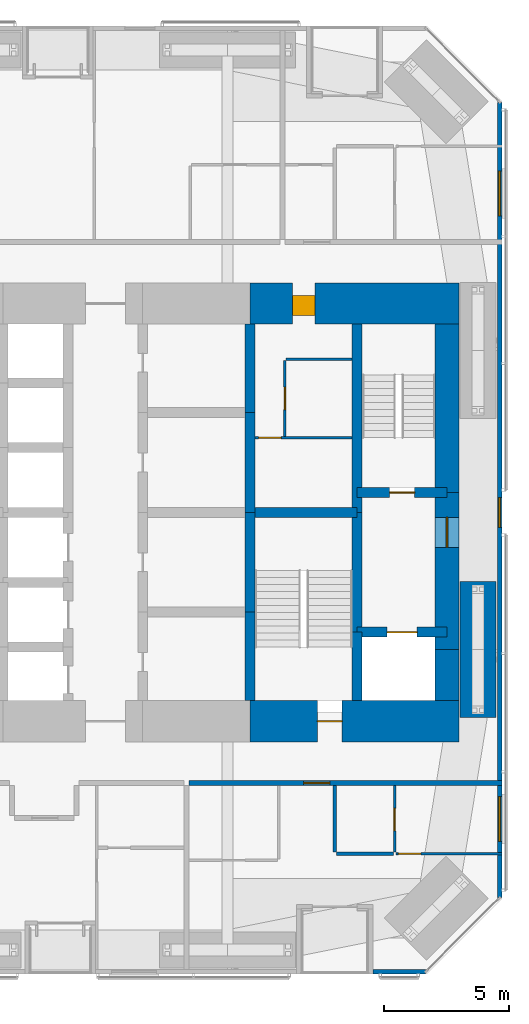
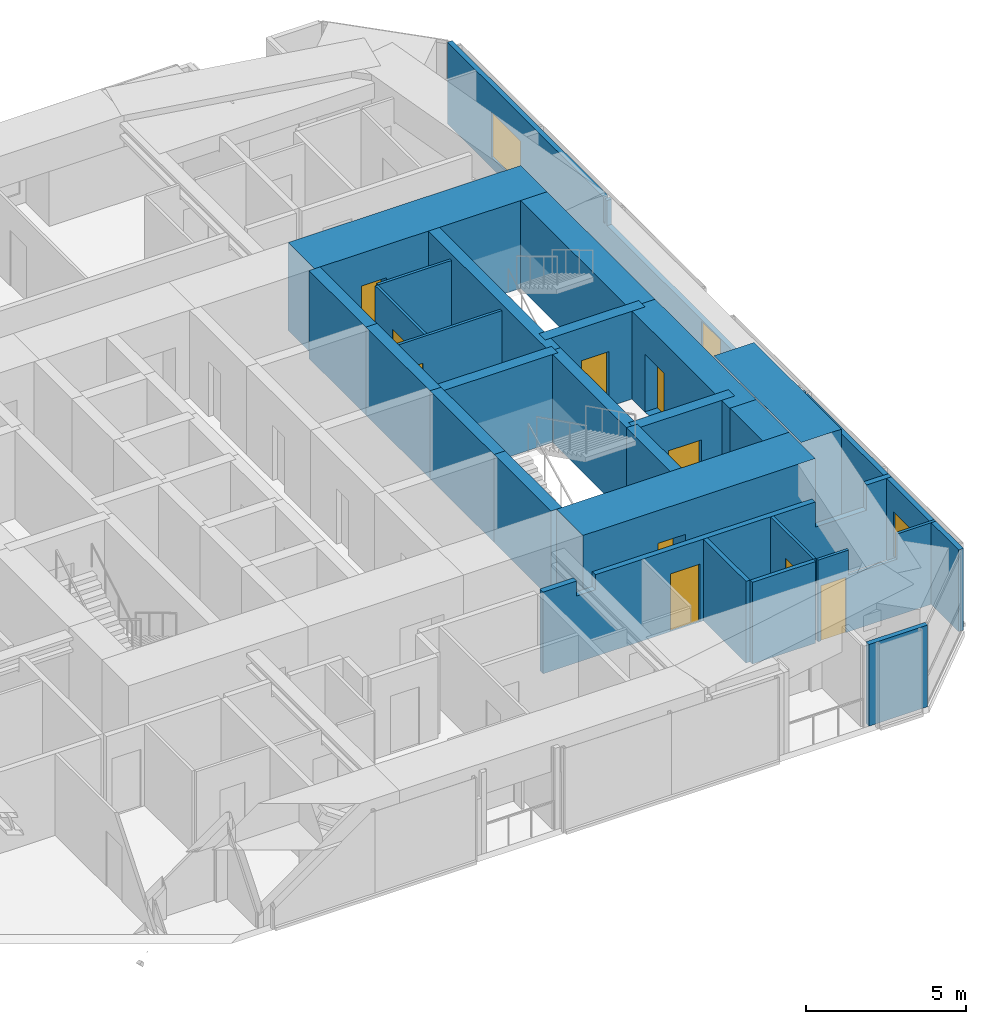
# One storey, part 20 of 23: 26 walls, 10 doors, 3 windows, 13 openings.
"""IFC4 building model written with IfcOpenShell, lengths in metres."""

from ifc_helpers import new_model, si_unit, direction, frame, frame_2d, origin, place, context, subcontext, project, spatial, polyline, rectangle, outline, extrude, material, layer, layer_set, constituent, constituent_set, type_object, element, fill, save


model = new_model("IFC4")

# Units and contexts
model_context = context("Model", 3, precision=1e-05, world=origin(), true_north=direction((0.0, 1.0)))
body_context = subcontext(model_context, "Body", "Model", "MODEL_VIEW")
ifc_project = project(units=[si_unit("LENGTHUNIT", "METRE"), si_unit("AREAUNIT", "SQUARE_METRE"), si_unit("VOLUMEUNIT", "CUBIC_METRE"), si_unit("PLANEANGLEUNIT", "RADIAN"), si_unit("MASSUNIT", "GRAM", prefix="KILO")], contexts=[model_context])

# Site, building, storey
site_placement = place(None, origin())
site = spatial("IfcSite", under=ifc_project, at=site_placement, CompositionType="ELEMENT")
building_placement = place(site_placement, origin())
building = spatial("IfcBuilding", under=site, at=building_placement, Name="Jalousie Tower", CompositionType="ELEMENT")
storey_placement = place(building_placement, frame((0.0, 0.0, 31.050048828125)))
storey = spatial("IfcBuildingStorey", under=building, at=storey_placement, Name="L07", CompositionType="ELEMENT", Elevation=31.050048828125)

# Walls
ifc_material_1 = material(Name="Concrete block ASTM C90", Category="concrete")
ifc_constituent_1 = constituent(ifc_material_1, Name="Body")
ifc_material_2 = material(Name="Render")
ifc_constituent_2 = constituent(ifc_material_2, Name="Finish")
ifc_constituent_set_1 = constituent_set(constituents=[ifc_constituent_1, ifc_constituent_2])
wall_type_1 = type_object("IfcWallType", Name="BATHROOM WALL 150", PredefinedType="PLUMBINGWALL", material=ifc_constituent_set_1)
wall_1_placement = place(storey_placement, frame((39.375, 4.8173828125, 0.0), z_axis=(0.0, 0.0, 1.0), x_axis=(1.0, 0.0, 0.0)))
element("IfcWall", 1, at=wall_1_placement, inside=storey, type_object=wall_type_1, Name="Bathroom Wall 150 L07", PredefinedType="PLUMBINGWALL", context=body_context, shape_type="SweptSolid", body=[
    extrude(rectangle(XDim=2.27490234375, YDim=0.14990234375, at=frame_2d((1.137451171875, 0.0))), origin(), (0.0, 0.0, 1.0), 3.10986328125),
])
wall_2_placement = place(storey_placement, frame((39.300048828125, 4.892333984375, 0.0), z_axis=(0.0, 0.0, 1.0), x_axis=(0.0, 1.0, 0.0)))
element("IfcWall", 2, at=wall_2_placement, inside=storey, type_object=wall_type_1, Name="Bathroom Wall 150 L07", PredefinedType="PLUMBINGWALL", context=body_context, shape_type="SweptSolid", body=[
    extrude(rectangle(XDim=2.65771484375, YDim=0.14990234375, at=frame_2d((1.328857421875, 0.0))), origin(), (0.0, 0.0, 1.0), 3.10986328125),
])

# Wall, opening, door
ifc_material_3 = material(Name="Concrete f'c 120 MPa", Category="concrete")
ifc_layer_1 = layer(ifc_material_3, 1.64990234375)
ifc_layer_set_1 = layer_set([ifc_layer_1], Name="Concrete f'c 120 MPa")
wall_type_2 = type_object("IfcWallType", Name="CORE WALL 1650", PredefinedType="SHEAR", material=ifc_layer_set_1)
wall_3_placement = place(storey_placement, frame((35.89990234375, 10.125, 0.0), z_axis=(0.0, 0.0, 1.0), x_axis=(1.0, 0.0, 0.0)))
wall_3 = element("IfcWall", 3, at=wall_3_placement, inside=storey, type_object=wall_type_2, Name="Core wall SD L07", PredefinedType="SHEAR", context=body_context, shape_type="SweptSolid", body=[
    extrude(rectangle(XDim=8.375, YDim=1.64990234375, at=frame_2d((4.1875, 0.0))), origin(), (0.0, 0.0, 1.0), 3.349853515625),
])
opening_1_placement = place(wall_3_placement, frame((2.699951171875, 0.0, 0.0)))
opening_1 = element("IfcOpeningElement", 4, at=opening_1_placement, cuts=wall_3, Name="Opening D10", PredefinedType="OPENING", context=body_context, shape_type="SweptSolid", body=[
    extrude(rectangle(XDim=1.0, YDim=2.10009765625, at=frame_2d((0.5, 1.050048828125))), frame((0.0, 0.8349609375, 0.0), z_axis=(0.0, -1.0, 0.0), x_axis=(1.0, 0.0, 0.0)), (0.0, 0.0, 1.0), 1.669921875),
])
ifc_material_4 = material(Name="Steel fire door", Category="steel")
door_type_1 = type_object("IfcDoorType", Name="STAIR DOOR 1000", OperationType="SINGLE_SWING_LEFT", PredefinedType="DOOR", material=ifc_material_4)
door_1_placement = place(opening_1_placement, origin())
door_1 = element("IfcDoor", 5, at=door_1_placement, inside=storey, type_object=door_type_1, Name="Exit stair C door", OperationType="SINGLE_SWING_RIGHT", OverallHeight=2.10009765625, OverallWidth=1.0, PredefinedType="DOOR", context=body_context, shape_type="SweptSolid", body=[
    extrude(rectangle(XDim=1.0, YDim=2.10009765625, at=frame_2d((0.5, 1.050048828125))), frame((0.0, 0.02490234375, 0.0), z_axis=(0.0, -1.0, 0.0), x_axis=(1.0, 0.0, 0.0)), (0.0, 0.0, 1.0), 0.050048828125),
])
fill(opening_1, door_1)

wall_4_placement = place(storey_placement, frame((44.27490234375, 26.875, 0.0), z_axis=(0.0, 0.0, 1.0), x_axis=(-1.0, 0.0, 0.0)))
wall_4 = element("IfcWall", 6, at=wall_4_placement, inside=storey, type_object=wall_type_2, Name="Core wall NA L07", PredefinedType="SHEAR", context=body_context, shape_type="SweptSolid", body=[
    extrude(rectangle(XDim=8.375, YDim=1.64990234375, at=frame_2d((4.1875, 0.0))), origin(), (0.0, 0.0, 1.0), 3.349853515625),
])
opening_2_placement = place(wall_4_placement, frame((5.77490234375, 0.0, 0.0)))
opening_2 = element("IfcOpeningElement", 7, at=opening_2_placement, cuts=wall_4, Name="Opening D25", PredefinedType="OPENING", context=body_context, shape_type="SweptSolid", body=[
    extrude(rectangle(XDim=0.89990234375, YDim=2.10009765625, at=frame_2d((0.449951171875, 1.050048828125))), frame((0.0, 0.8349609375, 0.0), z_axis=(0.0, -1.0, 0.0), x_axis=(1.0, 0.0, 0.0)), (0.0, 0.0, 1.0), 1.669921875),
])
ifc_material_5 = material(Name="Steel fire door", Category="steel")
door_type_2 = type_object("IfcDoorType", Name="SERVICE LOBBY DOOR 900", OperationType="SINGLE_SWING_LEFT", PredefinedType="DOOR", material=ifc_material_5)
door_2_placement = place(opening_2_placement, origin())
door_2 = element("IfcDoor", 8, at=door_2_placement, inside=storey, type_object=door_type_2, Name="Service lobby door", OperationType="SINGLE_SWING_RIGHT", OverallHeight=2.10009765625, OverallWidth=0.89990234375, PredefinedType="DOOR", context=body_context, shape_type="SweptSolid", body=[
    extrude(rectangle(XDim=0.89990234375, YDim=2.10009765625, at=frame_2d((0.449951171875, 1.050048828125))), frame((0.0, 0.47021484375, 0.0), z_axis=(0.0, -1.0, 0.0), x_axis=(1.0, 0.0, 0.0)), (0.0, 0.0, 1.0), 0.800048828125),
])
fill(opening_2, door_2)

# Walls
ifc_material_6 = material(Name="Concrete f'c 120 MPa", Category="concrete")
ifc_layer_2 = layer(ifc_material_6, 0.39990234375)
ifc_layer_set_2 = layer_set([ifc_layer_2], Name="Concrete f'c 120 MPa")
wall_type_3 = type_object("IfcWallType", Name="CORE WALL 400", PredefinedType="SHEAR", material=ifc_layer_set_2)
wall_5_placement = place(storey_placement, frame((35.89990234375, 10.949951171875, 0.0), z_axis=(0.0, 0.0, 1.0), x_axis=(0.0, 1.0, 0.0)))
element("IfcWall", 9, at=wall_5_placement, inside=storey, type_object=wall_type_3, Name="Core wall X35.9A L07", PredefinedType="SHEAR", context=body_context, shape_type="SweptSolid", body=[
    extrude(rectangle(XDim=3.550048828125, YDim=0.39990234375, at=frame_2d((1.77490234375, 0.0))), origin(), (0.0, 0.0, 1.0), 3.349853515625),
])
for number, where, z_axis, x_axis, name in (
    (10, (35.89990234375, 14.5, 0.0), (0.0, 0.0, 1.0), (0.0, 1.0, 0.0), "Core wall X35.9B L07"),
    (11, (35.89990234375, 18.5, 0.0), (0.0, 0.0, 1.0), (0.0, 1.0, 0.0), "Core wall X35.9C L07"),
):
    element("IfcWall", number, at=place(storey_placement, frame(where, z_axis=z_axis, x_axis=x_axis)), inside=storey, type_object=wall_type_3, Name=name, PredefinedType="SHEAR", context=body_context, shape_type="SweptSolid", body=[
        extrude(rectangle(XDim=4.0, YDim=0.39990234375, at=frame_2d((2.0, 0.0))), origin(), (0.0, 0.0, 1.0), 3.349853515625),
    ])
wall_6_placement = place(storey_placement, frame((35.89990234375, 22.5, 0.0), z_axis=(0.0, 0.0, 1.0), x_axis=(0.0, 1.0, 0.0)))
element("IfcWall", 12, at=wall_6_placement, inside=storey, type_object=wall_type_3, Name="Core wall X35.9D L07", PredefinedType="SHEAR", context=body_context, shape_type="SweptSolid", body=[
    extrude(rectangle(XDim=3.550048828125, YDim=0.39990234375, at=frame_2d((1.77490234375, 0.0))), origin(), (0.0, 0.0, 1.0), 3.349853515625),
])
wall_7_placement = place(storey_placement, frame((40.199951171875, 10.949951171875, 0.0), z_axis=(0.0, 0.0, 1.0), x_axis=(0.0, 1.0, 0.0)))
element("IfcWall", 13, at=wall_7_placement, inside=storey, type_object=wall_type_3, Name="Core wall X40.2A L07", PredefinedType="SHEAR", context=body_context, shape_type="SweptSolid", body=[
    extrude(rectangle(XDim=2.75, YDim=0.39990234375, at=frame_2d((1.375, 0.0))), origin(), (0.0, 0.0, 1.0), 3.349853515625),
])
wall_8_placement = place(storey_placement, frame((40.199951171875, 13.699951171875, 0.0), z_axis=(0.0, 0.0, 1.0), x_axis=(0.0, 1.0, 0.0)))
element("IfcWall", 14, at=wall_8_placement, inside=storey, type_object=wall_type_3, Name="Core wall X40.2B L07", PredefinedType="SHEAR", context=body_context, shape_type="SweptSolid", body=[
    extrude(rectangle(XDim=4.800048828125, YDim=0.39990234375, at=frame_2d((2.39990234375, 0.0))), origin(), (0.0, 0.0, 1.0), 3.349853515625),
])
wall_9_placement = place(storey_placement, frame((40.199951171875, 18.5, 0.0), z_axis=(0.0, 0.0, 1.0), x_axis=(0.0, 1.0, 0.0)))
element("IfcWall", 15, at=wall_9_placement, inside=storey, type_object=wall_type_3, Name="Core wall X40.2C L07", PredefinedType="SHEAR", context=body_context, shape_type="SweptSolid", body=[
    extrude(rectangle(XDim=7.550048828125, YDim=0.39990234375, at=frame_2d((3.77490234375, 0.0))), origin(), (0.0, 0.0, 1.0), 3.349853515625),
])
wall_10_placement = place(storey_placement, frame((35.89990234375, 18.5, 0.0), z_axis=(0.0, 0.0, 1.0), x_axis=(1.0, 0.0, 0.0)))
element("IfcWall", 16, at=wall_10_placement, inside=storey, type_object=wall_type_3, Name="Core wall Y35.9-18.5 L07", PredefinedType="SHEAR", context=body_context, shape_type="SweptSolid", body=[
    extrude(rectangle(XDim=4.300048828125, YDim=0.39990234375, at=frame_2d((2.14990234375, 0.0))), origin(), (0.0, 0.0, 1.0), 3.349853515625),
])

# Wall, opening, door
wall_11_placement = place(storey_placement, frame((40.199951171875, 13.699951171875, 0.0), z_axis=(0.0, 0.0, 1.0), x_axis=(1.0, 0.0, 0.0)))
wall_11 = element("IfcWall", 17, at=wall_11_placement, inside=storey, type_object=wall_type_3, Name="Core wall Y40.2-13.7 L07", PredefinedType="SHEAR", context=body_context, shape_type="SweptSolid", body=[
    extrude(rectangle(XDim=3.60009765625, YDim=0.39990234375, at=frame_2d((1.800048828125, 0.0))), origin(), (0.0, 0.0, 1.0), 3.349853515625),
])
opening_3_placement = place(wall_11_placement, frame((1.199951171875, 0.0, 0.0)))
opening_3 = element("IfcOpeningElement", 18, at=opening_3_placement, cuts=wall_11, Name="Opening LD2", PredefinedType="OPENING", context=body_context, shape_type="SweptSolid", body=[
    extrude(rectangle(XDim=1.199951171875, YDim=2.10009765625, at=frame_2d((0.60009765625, 1.050048828125))), frame((0.0, 0.2099609375, 0.0), z_axis=(0.0, -1.0, 0.0), x_axis=(1.0, 0.0, 0.0)), (0.0, 0.0, 1.0), 0.419921875),
])
ifc_material_7 = material(Name="Steel lift landing door", Category="steel")
door_type_3 = type_object("IfcDoorType", Name="LIFT LANDING DOOR 1200", OperationType="SLIDING_TO_LEFT", PredefinedType="DOOR", material=ifc_material_7)
door_3_placement = place(opening_3_placement, origin())
door_3 = element("IfcDoor", 19, at=door_3_placement, inside=storey, type_object=door_type_3, Name="Lift F2 landing door", OperationType="SLIDING_TO_LEFT", OverallHeight=2.10009765625, OverallWidth=1.199951171875, PredefinedType="DOOR", context=body_context, shape_type="SweptSolid", body=[
    extrude(rectangle(XDim=1.199951171875, YDim=2.10009765625, at=frame_2d((0.60009765625, 1.050048828125))), frame((0.0, 0.02490234375, 0.0), z_axis=(0.0, -1.0, 0.0), x_axis=(1.0, 0.0, 0.0)), (0.0, 0.0, 1.0), 0.050048828125),
])
fill(opening_3, door_3)

wall_12_placement = place(storey_placement, frame((40.199951171875, 19.300048828125, 0.0), z_axis=(0.0, 0.0, 1.0), x_axis=(1.0, 0.0, 0.0)))
wall_12 = element("IfcWall", 20, at=wall_12_placement, inside=storey, type_object=wall_type_3, Name="Core wall Y40.2-19.3 L07", PredefinedType="SHEAR", context=body_context, shape_type="SweptSolid", body=[
    extrude(rectangle(XDim=3.60009765625, YDim=0.39990234375, at=frame_2d((1.800048828125, 0.0))), origin(), (0.0, 0.0, 1.0), 3.349853515625),
])
opening_4_placement = place(wall_12_placement, frame((1.300048828125, 0.0, 0.0)))
opening_4 = element("IfcOpeningElement", 21, at=opening_4_placement, cuts=wall_12, Name="Opening D10", PredefinedType="OPENING", context=body_context, shape_type="SweptSolid", body=[
    extrude(rectangle(XDim=1.0, YDim=2.10009765625, at=frame_2d((0.5, 1.050048828125))), frame((0.0, 0.2099609375, 0.0), z_axis=(0.0, -1.0, 0.0), x_axis=(1.0, 0.0, 0.0)), (0.0, 0.0, 1.0), 0.419921875),
])
door_4_placement = place(opening_4_placement, origin())
door_4 = element("IfcDoor", 22, at=door_4_placement, inside=storey, type_object=door_type_1, Name="Exit stair B door", OperationType="SINGLE_SWING_RIGHT", OverallHeight=2.10009765625, OverallWidth=1.0, PredefinedType="DOOR", context=body_context, shape_type="SweptSolid", body=[
    extrude(rectangle(XDim=1.0, YDim=2.10009765625, at=frame_2d((0.5, 1.050048828125))), frame((0.0, 0.02490234375, 0.0), z_axis=(0.0, -1.0, 0.0), x_axis=(1.0, 0.0, 0.0)), (0.0, 0.0, 1.0), 0.050048828125),
])
fill(opening_4, door_4)

# Wall
ifc_material_8 = material(Name="Concrete f'c 120 MPa", Category="concrete")
ifc_layer_3 = layer(ifc_material_8, 0.949951171875)
ifc_layer_set_3 = layer_set([ifc_layer_3], Name="Concrete f'c 120 MPa")
wall_type_4 = type_object("IfcWallType", Name="CORE WALL 950", PredefinedType="SHEAR", material=ifc_layer_set_3)
wall_13_placement = place(storey_placement, frame((43.800048828125, 10.949951171875, 0.0), z_axis=(0.0, 0.0, 1.0), x_axis=(0.0, 1.0, 0.0)))
element("IfcWall", 23, at=wall_13_placement, inside=storey, type_object=wall_type_4, Name="Core wall EA L07", PredefinedType="SHEAR", context=body_context, shape_type="SweptSolid", body=[
    extrude(rectangle(XDim=2.050048828125, YDim=0.949951171875, at=frame_2d((1.02490234375, 0.0))), origin(), (0.0, 0.0, 1.0), 3.349853515625),
])

# Wall, opening, door
wall_14_placement = place(storey_placement, frame((43.800048828125, 13.0, 0.0), z_axis=(0.0, 0.0, 1.0), x_axis=(0.0, 1.0, 0.0)))
wall_14 = element("IfcWall", 24, at=wall_14_placement, inside=storey, type_object=wall_type_4, Name="Core wall EB L07", PredefinedType="SHEAR", context=body_context, shape_type="SweptSolid", body=[
    extrude(rectangle(XDim=6.300048828125, YDim=0.949951171875, at=frame_2d((3.14990234375, 0.0))), origin(), (0.0, 0.0, 1.0), 3.349853515625),
])
opening_5_placement = place(wall_14_placement, frame((4.10009765625, 0.0, 0.0)))
opening_5 = element("IfcOpeningElement", 25, at=opening_5_placement, cuts=wall_14, Name="Opening D11", PredefinedType="OPENING", context=body_context, shape_type="SweptSolid", body=[
    extrude(rectangle(XDim=1.199951171875, YDim=2.199951171875, at=frame_2d((0.60009765625, 1.10009765625))), frame((0.0, 0.48486328125, 0.0), z_axis=(0.0, -1.0, 0.0), x_axis=(1.0, 0.0, 0.0)), (0.0, 0.0, 1.0), 0.969970703125),
])
ifc_material_9 = material(Name="Steel fire door", Category="steel")
door_type_4 = type_object("IfcDoorType", Name="FIRE DOOR 1200", OperationType="SINGLE_SWING_LEFT", PredefinedType="DOOR", material=ifc_material_9)
door_5_placement = place(opening_5_placement, origin())
door_5 = element("IfcDoor", 26, at=door_5_placement, inside=storey, type_object=door_type_4, Name="Fire-fighting lobby B door", OperationType="SINGLE_SWING_RIGHT", OverallHeight=2.199951171875, OverallWidth=1.199951171875, PredefinedType="DOOR", context=body_context, shape_type="SweptSolid", body=[
    extrude(rectangle(XDim=1.199951171875, YDim=2.199951171875, at=frame_2d((0.60009765625, 1.10009765625))), frame((0.0, 0.02490234375, 0.0), z_axis=(0.0, -1.0, 0.0), x_axis=(1.0, 0.0, 0.0)), (0.0, 0.0, 1.0), 0.050048828125),
])
fill(opening_5, door_5)

# Wall
wall_15_placement = place(storey_placement, frame((43.800048828125, 19.300048828125, 0.0), z_axis=(0.0, 0.0, 1.0), x_axis=(0.0, 1.0, 0.0)))
element("IfcWall", 27, at=wall_15_placement, inside=storey, type_object=wall_type_4, Name="Core wall EC L07", PredefinedType="SHEAR", context=body_context, shape_type="SweptSolid", body=[
    extrude(rectangle(XDim=6.75, YDim=0.949951171875, at=frame_2d((3.375, 0.0))), origin(), (0.0, 0.0, 1.0), 3.349853515625),
])

# Wall, opening, door
ifc_material_10 = material(Name="Concrete block ASTM C90", Category="concrete")
ifc_constituent_3 = constituent(ifc_material_10, Name="Body")
ifc_material_11 = material(Name="Render")
ifc_constituent_4 = constituent(ifc_material_11, Name="Finish")
ifc_constituent_set_2 = constituent_set(constituents=[ifc_constituent_3, ifc_constituent_4])
wall_type_5 = type_object("IfcWallType", Name="CORRIDOR WALL 200", PredefinedType="PARTITIONING", material=ifc_constituent_set_2)
wall_16_placement = place(storey_placement, frame((33.449951171875, 7.64990234375, 0.0), z_axis=(0.0, 0.0, 1.0), x_axis=(1.0, 0.0, 0.0)))
wall_16 = element("IfcWall", 28, at=wall_16_placement, inside=storey, type_object=wall_type_5, Name="Corridor Wall 200 L07", PredefinedType="PARTITIONING", context=body_context, shape_type="SweptSolid", body=[
    extrude(outline(polyline([(0.0, 0.0), (12.550048828125, 0.0), (12.550048828125, 3.10986328125), (11.654296875, 3.10986328125), (11.654296875, 2.14990234375), (9.810546875, 2.14990234375), (9.810546875, 3.10986328125), (1.88720703125, 3.10986328125), (1.88720703125, 2.541015625), (1.212646484375, 2.541015625), (1.212646484375, 3.10986328125), (0.0, 3.10986328125), (0.0, 0.0)])), frame((0.0, 0.10009765625, 0.0), z_axis=(0.0, -1.0, 0.0), x_axis=(1.0, 0.0, 0.0)), (0.0, 0.0, 1.0), 0.199951171875),
])
opening_6_placement = place(wall_16_placement, frame((4.60009765625, 0.0, 0.0)))
opening_6 = element("IfcOpeningElement", 29, at=opening_6_placement, cuts=wall_16, Name="Opening D1", PredefinedType="OPENING", context=body_context, shape_type="SweptSolid", body=[
    extrude(rectangle(XDim=1.050048828125, YDim=2.199951171875, at=frame_2d((0.52490234375, 1.10009765625))), frame((0.0, 0.10986328125, 0.0), z_axis=(0.0, -1.0, 0.0), x_axis=(1.0, 0.0, 0.0)), (0.0, 0.0, 1.0), 0.219970703125),
])
ifc_material_12 = material(Name="Timber fire door", Category="wood")
door_type_5 = type_object("IfcDoorType", Name="APARTMENT ENTRANCE DOOR 1050", OperationType="SINGLE_SWING_LEFT", PredefinedType="DOOR", material=ifc_material_12)
door_6_placement = place(opening_6_placement, frame((1.050048828125, 0.0, 0.0), z_axis=(0.0, 0.0, 1.0), x_axis=(-1.0, 0.0, 0.0)))
door_6 = element("IfcDoor", 30, at=door_6_placement, inside=storey, type_object=door_type_5, Name="Apartment 0703 entrance", OperationType="SINGLE_SWING_LEFT", OverallHeight=2.199951171875, OverallWidth=1.050048828125, PredefinedType="DOOR", context=body_context, shape_type="SweptSolid", body=[
    extrude(rectangle(XDim=1.050048828125, YDim=2.199951171875, at=frame_2d((0.52490234375, 1.10009765625))), frame((0.0, 0.02490234375, 0.0), z_axis=(0.0, -1.0, 0.0), x_axis=(1.0, 0.0, 0.0)), (0.0, 0.0, 1.0), 0.050048828125),
])
fill(opening_6, door_6)

# Wall
ifc_material_13 = material(Name="Concrete f'c 40 MPa", Category="concrete")
ifc_constituent_5 = constituent(ifc_material_13, Name="Body")
ifc_material_14 = material(Name="Render, pastel coral")
ifc_constituent_6 = constituent(ifc_material_14, Name="Finish")
ifc_constituent_set_3 = constituent_set(constituents=[ifc_constituent_5, ifc_constituent_6])
wall_type_6 = type_object("IfcWallType", Name="EXTERNAL WALL 175 CORAL RENDER", PredefinedType="SOLIDWALL", material=ifc_constituent_set_3)
wall_17_placement = place(storey_placement, frame((40.824951171875, 0.08740234375, 0.0), z_axis=(0.0, 0.0, 1.0), x_axis=(1.0, 0.0, 0.0)))
element("IfcWall", 31, at=wall_17_placement, inside=storey, type_object=wall_type_6, Name="External Wall 175 Coral Render L07", PredefinedType="SOLIDWALL", context=body_context, shape_type="SweptSolid", body=[
    extrude(rectangle(XDim=2.123779296875, YDim=0.175048828125, at=frame_2d((1.06201171875, 0.0))), origin(), (0.0, 0.0, 1.0), 3.10986328125),
])

# Wall, openings, windows
wall_18_placement = place(storey_placement, frame((45.91259765625, 3.05126953125, 0.0), z_axis=(0.0, 0.0, 1.0), x_axis=(0.0, 1.0, 0.0)))
wall_18 = element("IfcWall", 32, at=wall_18_placement, inside=storey, type_object=wall_type_6, Name="External Wall 175 Coral Render L07", PredefinedType="SOLIDWALL", context=body_context, shape_type="SweptSolid", body=[
    extrude(outline(polyline([(0.0, 0.0), (31.8974609375, 0.0), (31.8974609375, 3.10986328125), (22.167236328125, 3.10986328125), (22.167236328125, 2.14990234375), (22.074462890625, 2.14990234375), (22.074462890625, 3.10986328125), (21.94873046875, 3.10986328125), (21.94873046875, 2.14990234375), (9.94873046875, 2.14990234375), (9.94873046875, 3.10986328125), (9.822998046875, 3.10986328125), (9.822998046875, 2.14990234375), (9.72998046875, 2.14990234375), (9.72998046875, 3.10986328125), (0.0, 3.10986328125), (0.0, 0.0)])), frame((0.0, 0.08740234375, 0.0), z_axis=(0.0, -1.0, 0.0), x_axis=(1.0, 0.0, 0.0)), (0.0, 0.0, 1.0), 0.175048828125),
])
opening_7_placement = place(wall_18_placement, frame((2.25732421875, 0.0, 0.39990234375)))
opening_7 = element("IfcOpeningElement", 33, at=opening_7_placement, cuts=wall_18, Name="Opening W-BED170", PredefinedType="OPENING", context=body_context, shape_type="SweptSolid", body=[
    extrude(rectangle(XDim=1.800048828125, YDim=1.699951171875, at=frame_2d((0.89990234375, 0.85009765625))), frame((0.0, 0.097412109375, 0.0), z_axis=(0.0, -1.0, 0.0), x_axis=(1.0, 0.0, 0.0)), (0.0, 0.0, 1.0), 0.195068359375),
])
opening_8_placement = place(wall_18_placement, frame((14.8486328125, 0.0, 0.39990234375)))
opening_8 = element("IfcOpeningElement", 34, at=opening_8_placement, cuts=wall_18, Name="Opening W-COR170", PredefinedType="OPENING", context=body_context, shape_type="SweptSolid", body=[
    extrude(rectangle(XDim=1.199951171875, YDim=1.699951171875, at=frame_2d((0.60009765625, 0.85009765625))), frame((0.0, 0.097412109375, 0.0), z_axis=(0.0, -1.0, 0.0), x_axis=(1.0, 0.0, 0.0)), (0.0, 0.0, 1.0), 0.195068359375),
])
opening_9_placement = place(wall_18_placement, frame((27.340087890625, 0.0, 0.39990234375)))
opening_9 = element("IfcOpeningElement", 35, at=opening_9_placement, cuts=wall_18, Name="Opening W-BED170", PredefinedType="OPENING", context=body_context, shape_type="SweptSolid", body=[
    extrude(rectangle(XDim=1.800048828125, YDim=1.699951171875, at=frame_2d((0.89990234375, 0.85009765625))), frame((0.0, 0.097412109375, 0.0), z_axis=(0.0, -1.0, 0.0), x_axis=(1.0, 0.0, 0.0)), (0.0, 0.0, 1.0), 0.195068359375),
])
ifc_material_15 = material(Name="Aluminium frame, impact-rated glazing", Category="aluminium")
window_type_1 = type_object("IfcWindowType", Name="WINDOW BED 1800x1700", PartitioningType="SINGLE_PANEL", PredefinedType="WINDOW", material=ifc_material_15)
window_1_placement = place(opening_7_placement, origin())
window_1 = element("IfcWindow", 36, at=window_1_placement, inside=storey, type_object=window_type_1, Name="Apartment 0703 bedroom 1 window", OverallHeight=1.699951171875, OverallWidth=1.800048828125, PartitioningType="SINGLE_PANEL", PredefinedType="WINDOW", context=body_context, shape_type="SweptSolid", body=[
    extrude(rectangle(XDim=1.800048828125, YDim=1.699951171875, at=frame_2d((0.89990234375, 0.85009765625))), frame((0.0, 0.030029296875, 0.0), z_axis=(0.0, -1.0, 0.0), x_axis=(1.0, 0.0, 0.0)), (0.0, 0.0, 1.0), 0.06005859375),
])
fill(opening_7, window_1)
window_2_placement = place(opening_9_placement, origin())
window_2 = element("IfcWindow", 37, at=window_2_placement, inside=storey, type_object=window_type_1, Name="Apartment 0705 bedroom 1 window", OverallHeight=1.699951171875, OverallWidth=1.800048828125, PartitioningType="SINGLE_PANEL", PredefinedType="WINDOW", context=body_context, shape_type="SweptSolid", body=[
    extrude(rectangle(XDim=1.800048828125, YDim=1.699951171875, at=frame_2d((0.89990234375, 0.85009765625))), frame((0.0, 0.030029296875, 0.0), z_axis=(0.0, -1.0, 0.0), x_axis=(1.0, 0.0, 0.0)), (0.0, 0.0, 1.0), 0.06005859375),
])
fill(opening_9, window_2)
ifc_material_16 = material(Name="Aluminium frame, impact-rated glazing", Category="aluminium")
window_type_2 = type_object("IfcWindowType", Name="WINDOW COR 1200x1700", PartitioningType="SINGLE_PANEL", PredefinedType="WINDOW", material=ifc_material_16)
window_3_placement = place(opening_8_placement, origin())
window_3 = element("IfcWindow", 38, at=window_3_placement, inside=storey, type_object=window_type_2, Name="Corridor window", OverallHeight=1.699951171875, OverallWidth=1.199951171875, PartitioningType="SINGLE_PANEL", PredefinedType="WINDOW", context=body_context, shape_type="SweptSolid", body=[
    extrude(rectangle(XDim=1.199951171875, YDim=1.699951171875, at=frame_2d((0.60009765625, 0.85009765625))), frame((0.0, 0.030029296875, 0.0), z_axis=(0.0, -1.0, 0.0), x_axis=(1.0, 0.0, 0.0)), (0.0, 0.0, 1.0), 0.06005859375),
])
fill(opening_8, window_3)

# Wall, opening, door
ifc_material_17 = material(Name="Gypsum board", Category="gypsum")
ifc_constituent_7 = constituent(ifc_material_17, Name="Body")
ifc_material_18 = material(Name="Light-gauge steel studs ASTM A653 SS Grade 33", Category="steel")
ifc_constituent_8 = constituent(ifc_material_18, Name="Framing")
ifc_constituent_set_4 = constituent_set(constituents=[ifc_constituent_7, ifc_constituent_8])
wall_type_7 = type_object("IfcWallType", Name="PARTITION 100", PredefinedType="PARTITIONING", material=ifc_constituent_set_4)
wall_19_placement = place(storey_placement, frame((41.699951171875, 4.892333984375, 0.0), z_axis=(0.0, 0.0, 1.0), x_axis=(0.0, 1.0, 0.0)))
wall_19 = element("IfcWall", 39, at=wall_19_placement, inside=storey, type_object=wall_type_7, Name="Partition 100 L07", PredefinedType="PARTITIONING", context=body_context, shape_type="SweptSolid", body=[
    extrude(rectangle(XDim=2.65771484375, YDim=0.10009765625, at=frame_2d((1.328857421875, 0.0))), origin(), (0.0, 0.0, 1.0), 3.10986328125),
])
opening_10_placement = place(wall_19_placement, frame((0.84130859375, 0.0, 0.0)))
opening_10 = element("IfcOpeningElement", 40, at=opening_10_placement, cuts=wall_19, Name="Opening D3", PredefinedType="OPENING", context=body_context, shape_type="SweptSolid", body=[
    extrude(rectangle(XDim=0.89990234375, YDim=2.10009765625, at=frame_2d((0.449951171875, 1.050048828125))), frame((0.0, 0.06005859375, 0.0), z_axis=(0.0, -1.0, 0.0), x_axis=(1.0, 0.0, 0.0)), (0.0, 0.0, 1.0), 0.1201171875),
])
ifc_material_19 = material(Name="Timber door", Category="wood")
door_type_6 = type_object("IfcDoorType", Name="BATHROOM DOOR 900", OperationType="SINGLE_SWING_LEFT", PredefinedType="DOOR", material=ifc_material_19)
door_7_placement = place(opening_10_placement, origin())
door_7 = element("IfcDoor", 41, at=door_7_placement, inside=storey, type_object=door_type_6, Name="Apartment 0703 bedroom 1 bathroom door", OperationType="SINGLE_SWING_LEFT", OverallHeight=2.10009765625, OverallWidth=0.89990234375, PredefinedType="DOOR", context=body_context, shape_type="SweptSolid", body=[
    extrude(rectangle(XDim=0.89990234375, YDim=2.10009765625, at=frame_2d((0.449951171875, 1.050048828125))), frame((0.0, 0.02490234375, 0.0), z_axis=(0.0, -1.0, 0.0), x_axis=(1.0, 0.0, 0.0)), (0.0, 0.0, 1.0), 0.050048828125),
])
fill(opening_10, door_7)

wall_20_placement = place(storey_placement, frame((41.75, 4.8173828125, 0.0), z_axis=(0.0, 0.0, 1.0), x_axis=(1.0, 0.0, 0.0)))
wall_20 = element("IfcWall", 42, at=wall_20_placement, inside=storey, type_object=wall_type_7, Name="Partition 100 L07", PredefinedType="PARTITIONING", context=body_context, shape_type="SweptSolid", body=[
    extrude(outline(polyline([(0.0, 0.0), (4.25, 0.0), (4.25, 3.10986328125), (2.84423828125, 3.10986328125), (2.84423828125, 2.14990234375), (1.101806640625, 2.14990234375), (1.101806640625, 3.10986328125), (0.0, 3.10986328125), (0.0, 0.0)])), frame((0.0, 0.050048828125, 0.0), z_axis=(0.0, -1.0, 0.0), x_axis=(1.0, 0.0, 0.0)), (0.0, 0.0, 1.0), 0.10009765625),
])
opening_11_placement = place(wall_20_placement, frame((0.10009765625, 0.0, 0.0)))
opening_11 = element("IfcOpeningElement", 43, at=opening_11_placement, cuts=wall_20, Name="Opening D2", PredefinedType="OPENING", context=body_context, shape_type="SweptSolid", body=[
    extrude(rectangle(XDim=0.89990234375, YDim=2.10009765625, at=frame_2d((0.449951171875, 1.050048828125))), frame((0.0, 0.06005859375, 0.0), z_axis=(0.0, -1.0, 0.0), x_axis=(1.0, 0.0, 0.0)), (0.0, 0.0, 1.0), 0.1201171875),
])
ifc_material_20 = material(Name="Timber door", Category="wood")
door_type_7 = type_object("IfcDoorType", Name="BEDROOM DOOR 900", OperationType="SINGLE_SWING_LEFT", PredefinedType="DOOR", material=ifc_material_20)
door_8_placement = place(opening_11_placement, origin())
door_8 = element("IfcDoor", 44, at=door_8_placement, inside=storey, type_object=door_type_7, Name="Apartment 0703 bedroom 1 door", OperationType="SINGLE_SWING_LEFT", OverallHeight=2.10009765625, OverallWidth=0.89990234375, PredefinedType="DOOR", context=body_context, shape_type="SweptSolid", body=[
    extrude(rectangle(XDim=0.89990234375, YDim=2.10009765625, at=frame_2d((0.449951171875, 1.050048828125))), frame((0.0, 0.02490234375, 0.0), z_axis=(0.0, -1.0, 0.0), x_axis=(1.0, 0.0, 0.0)), (0.0, 0.0, 1.0), 0.050048828125),
])
fill(opening_11, door_8)

# Wall
wall_21_placement = place(storey_placement, frame((37.35009765625, 24.64990234375, 0.0), z_axis=(0.0, 0.0, 1.0), x_axis=(1.0, 0.0, 0.0)))
element("IfcWall", 45, at=wall_21_placement, inside=storey, type_object=wall_type_7, Name="Partition 100 L07", PredefinedType="PARTITIONING", context=body_context, shape_type="SweptSolid", body=[
    extrude(rectangle(XDim=2.64990234375, YDim=0.10009765625, at=frame_2d((1.324951171875, 0.0))), origin(), (0.0, 0.0, 1.0), 3.10986328125),
])

# Wall, opening, door
wall_22_placement = place(storey_placement, frame((37.300048828125, 21.550048828125, 0.0), z_axis=(0.0, 0.0, 1.0), x_axis=(0.0, 1.0, 0.0)))
wall_22 = element("IfcWall", 46, at=wall_22_placement, inside=storey, type_object=wall_type_7, Name="Partition 100 L07", PredefinedType="PARTITIONING", context=body_context, shape_type="SweptSolid", body=[
    extrude(rectangle(XDim=3.050048828125, YDim=0.10009765625, at=frame_2d((1.52490234375, 0.0))), origin(), (0.0, 0.0, 1.0), 3.10986328125),
])
opening_12_placement = place(wall_22_placement, frame((1.074951171875, 0.0, 0.0)))
opening_12 = element("IfcOpeningElement", 47, at=opening_12_placement, cuts=wall_22, Name="Opening D7", PredefinedType="OPENING", context=body_context, shape_type="SweptSolid", body=[
    extrude(rectangle(XDim=0.89990234375, YDim=2.10009765625, at=frame_2d((0.449951171875, 1.050048828125))), frame((0.0, 0.06005859375, 0.0), z_axis=(0.0, -1.0, 0.0), x_axis=(1.0, 0.0, 0.0)), (0.0, 0.0, 1.0), 0.1201171875),
])
ifc_material_21 = material(Name="Timber door", Category="wood")
door_type_8 = type_object("IfcDoorType", Name="INTERNAL DOOR 900", OperationType="SINGLE_SWING_LEFT", PredefinedType="DOOR", material=ifc_material_21)
door_9_placement = place(opening_12_placement, frame((0.89990234375, 0.0, 0.0), z_axis=(0.0, 0.0, 1.0), x_axis=(-1.0, 0.0, 0.0)))
door_9 = element("IfcDoor", 48, at=door_9_placement, inside=storey, type_object=door_type_8, Name="Ice and vending room door", OperationType="SINGLE_SWING_LEFT", OverallHeight=2.10009765625, OverallWidth=0.89990234375, PredefinedType="DOOR", context=body_context, shape_type="SweptSolid", body=[
    extrude(rectangle(XDim=0.89990234375, YDim=2.10009765625, at=frame_2d((0.449951171875, 1.050048828125))), frame((0.0, 0.02490234375, 0.0), z_axis=(0.0, -1.0, 0.0), x_axis=(1.0, 0.0, 0.0)), (0.0, 0.0, 1.0), 0.050048828125),
])
fill(opening_12, door_9)

wall_23_placement = place(storey_placement, frame((36.10009765625, 21.5, 0.0), z_axis=(0.0, 0.0, 1.0), x_axis=(1.0, 0.0, 0.0)))
wall_23 = element("IfcWall", 49, at=wall_23_placement, inside=storey, type_object=wall_type_7, Name="Partition 100 L07", PredefinedType="PARTITIONING", context=body_context, shape_type="SweptSolid", body=[
    extrude(rectangle(XDim=3.89990234375, YDim=0.10009765625, at=frame_2d((1.949951171875, 0.0))), origin(), (0.0, 0.0, 1.0), 3.10986328125),
])
opening_13_placement = place(wall_23_placement, frame((0.14990234375, 0.0, 0.0)))
opening_13 = element("IfcOpeningElement", 50, at=opening_13_placement, cuts=wall_23, Name="Opening D7", PredefinedType="OPENING", context=body_context, shape_type="SweptSolid", body=[
    extrude(rectangle(XDim=0.89990234375, YDim=2.10009765625, at=frame_2d((0.449951171875, 1.050048828125))), frame((0.0, 0.06005859375, 0.0), z_axis=(0.0, -1.0, 0.0), x_axis=(1.0, 0.0, 0.0)), (0.0, 0.0, 1.0), 0.1201171875),
])
door_10_placement = place(opening_13_placement, frame((0.89990234375, 0.0, 0.0), z_axis=(0.0, 0.0, 1.0), x_axis=(-1.0, 0.0, 0.0)))
door_10 = element("IfcDoor", 51, at=door_10_placement, inside=storey, type_object=door_type_8, Name="Linen store door", OperationType="SINGLE_SWING_RIGHT", OverallHeight=2.10009765625, OverallWidth=0.89990234375, PredefinedType="DOOR", context=body_context, shape_type="SweptSolid", body=[
    extrude(rectangle(XDim=0.89990234375, YDim=2.10009765625, at=frame_2d((0.449951171875, 1.050048828125))), frame((0.0, 0.02490234375, 0.0), z_axis=(0.0, -1.0, 0.0), x_axis=(1.0, 0.0, 0.0)), (0.0, 0.0, 1.0), 0.050048828125),
])
fill(opening_13, door_10)

# Wall
ifc_material_22 = material(Name="Concrete f'c 120 MPa", Category="concrete")
ifc_layer_4 = layer(ifc_material_22, 1.449951171875)
ifc_layer_set_4 = layer_set([ifc_layer_4], Name="Concrete f'c 120 MPa")
wall_type_8 = type_object("IfcWallType", Name="RC WALL PIER 1450", PredefinedType="SHEAR", material=ifc_layer_set_4)
wall_24_placement = place(storey_placement, frame((45.050048828125, 10.27490234375, 0.0), z_axis=(0.0, 0.0, 1.0), x_axis=(0.0, 1.0, 0.0)))
element("IfcWall", 52, at=wall_24_placement, inside=storey, type_object=wall_type_8, Name="Wall pier 06 L07", PredefinedType="SHEAR", context=body_context, shape_type="SweptSolid", body=[
    extrude(rectangle(XDim=5.4501953125, YDim=1.449951171875, at=frame_2d((2.72509765625, 0.0))), origin(), (0.0, 0.0, 1.0), 3.349853515625),
])

save(model, "model.ifc")
